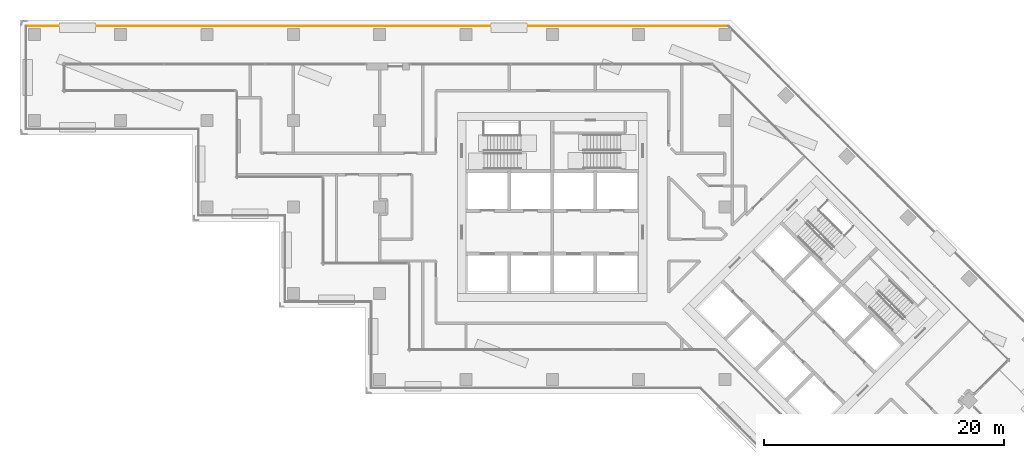
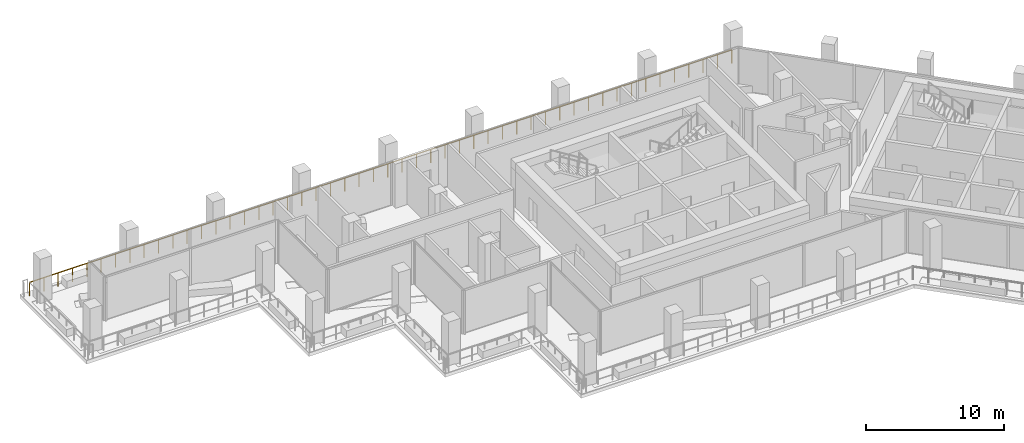
# One storey, part 16 of 21: 1 railing.
"""IFC4 building model written with IfcOpenShell, lengths in metres."""

from ifc_helpers import new_model, si_unit, direction, frame, origin, origin_2d, place, context, subcontext, project, spatial, circle, extrude, material, type_object, element, save


model = new_model("IFC4")

# Units and contexts
model_context = context("Model", 3, precision=1e-05, world=origin(), true_north=direction((0.0, 1.0)))
body_context = subcontext(model_context, "Body", "Model", "MODEL_VIEW")
ifc_project = project(units=[si_unit("LENGTHUNIT", "METRE"), si_unit("AREAUNIT", "SQUARE_METRE"), si_unit("VOLUMEUNIT", "CUBIC_METRE"), si_unit("PLANEANGLEUNIT", "RADIAN"), si_unit("MASSUNIT", "GRAM", prefix="KILO")], contexts=[model_context])

# Site, building, storey
site_placement = place(None, origin())
site = spatial("IfcSite", under=ifc_project, at=site_placement, CompositionType="ELEMENT")
building_placement = place(site_placement, origin())
building = spatial("IfcBuilding", under=site, at=building_placement, Name="Windrow Commons", CompositionType="ELEMENT")
storey_placement = place(building_placement, frame((0.0, 0.0, 131.2)))
storey = spatial("IfcBuildingStorey", under=building, at=storey_placement, Name="L35", CompositionType="ELEMENT", Elevation=131.2)

# Railing
ifc_material = material(Name="Stainless steel S316 balustrade with toughened glass infill", Category="steel")
railing_type = type_object("IfcRailingType", Name="Terrace guard 1200 podium", PredefinedType="BALUSTRADE", material=ifc_material)
railing_placement = place(storey_placement, frame((20.9, 72.7, 0.05)))
element("IfcRailing", 1, at=railing_placement, inside=storey, type_object=railing_type, Name="Guard TR-L35-1.E9", PredefinedType="BALUSTRADE", context=body_context, shape_type="SweptSolid", body=[
    extrude(circle(Radius=0.025, at=origin_2d()), frame((0.0, 0.0, 1.175), z_axis=(1.0, 0.0, 0.0), x_axis=(0.0, 1.0, 0.0)), (0.0, 0.0, 1.0), 58.59),
    extrude(circle(Radius=0.02, at=origin_2d()), origin(), (0.0, 0.0, 1.0), 1.15),
    extrude(circle(Radius=0.02, at=origin_2d()), frame((1.1957, 0.0, 0.0)), (0.0, 0.0, 1.0), 1.15),
    extrude(circle(Radius=0.02, at=origin_2d()), frame((2.3914, 0.0, 0.0)), (0.0, 0.0, 1.0), 1.15),
    extrude(circle(Radius=0.02, at=origin_2d()), frame((3.5871, 0.0, 0.0)), (0.0, 0.0, 1.0), 1.15),
    extrude(circle(Radius=0.02, at=origin_2d()), frame((4.7829, 0.0, 0.0)), (0.0, 0.0, 1.0), 1.15),
    extrude(circle(Radius=0.02, at=origin_2d()), frame((5.9786, 0.0, 0.0)), (0.0, 0.0, 1.0), 1.15),
    extrude(circle(Radius=0.02, at=origin_2d()), frame((7.1743, 0.0, 0.0)), (0.0, 0.0, 1.0), 1.15),
    extrude(circle(Radius=0.02, at=origin_2d()), frame((8.37, 0.0, 0.0)), (0.0, 0.0, 1.0), 1.15),
    extrude(circle(Radius=0.02, at=origin_2d()), frame((9.5657, 0.0, 0.0)), (0.0, 0.0, 1.0), 1.15),
    extrude(circle(Radius=0.02, at=origin_2d()), frame((10.7614, 0.0, 0.0)), (0.0, 0.0, 1.0), 1.15),
    extrude(circle(Radius=0.02, at=origin_2d()), frame((11.9571, 0.0, 0.0)), (0.0, 0.0, 1.0), 1.15),
    extrude(circle(Radius=0.02, at=origin_2d()), frame((13.1529, 0.0, 0.0)), (0.0, 0.0, 1.0), 1.15),
    extrude(circle(Radius=0.02, at=origin_2d()), frame((14.3486, 0.0, 0.0)), (0.0, 0.0, 1.0), 1.15),
    extrude(circle(Radius=0.02, at=origin_2d()), frame((15.5443, 0.0, 0.0)), (0.0, 0.0, 1.0), 1.15),
    extrude(circle(Radius=0.02, at=origin_2d()), frame((16.74, 0.0, 0.0)), (0.0, 0.0, 1.0), 1.15),
    extrude(circle(Radius=0.02, at=origin_2d()), frame((17.9357, 0.0, 0.0)), (0.0, 0.0, 1.0), 1.15),
    extrude(circle(Radius=0.02, at=origin_2d()), frame((19.1314, 0.0, 0.0)), (0.0, 0.0, 1.0), 1.15),
    extrude(circle(Radius=0.02, at=origin_2d()), frame((20.3271, 0.0, 0.0)), (0.0, 0.0, 1.0), 1.15),
    extrude(circle(Radius=0.02, at=origin_2d()), frame((21.5229, 0.0, 0.0)), (0.0, 0.0, 1.0), 1.15),
    extrude(circle(Radius=0.02, at=origin_2d()), frame((22.7186, 0.0, 0.0)), (0.0, 0.0, 1.0), 1.15),
    extrude(circle(Radius=0.02, at=origin_2d()), frame((23.9143, 0.0, 0.0)), (0.0, 0.0, 1.0), 1.15),
    extrude(circle(Radius=0.02, at=origin_2d()), frame((25.11, 0.0, 0.0)), (0.0, 0.0, 1.0), 1.15),
    extrude(circle(Radius=0.02, at=origin_2d()), frame((26.3057, 0.0, 0.0)), (0.0, 0.0, 1.0), 1.15),
    extrude(circle(Radius=0.02, at=origin_2d()), frame((27.5014, 0.0, 0.0)), (0.0, 0.0, 1.0), 1.15),
    extrude(circle(Radius=0.02, at=origin_2d()), frame((28.6971, 0.0, 0.0)), (0.0, 0.0, 1.0), 1.15),
    extrude(circle(Radius=0.02, at=origin_2d()), frame((29.8929, 0.0, 0.0)), (0.0, 0.0, 1.0), 1.15),
    extrude(circle(Radius=0.02, at=origin_2d()), frame((31.0886, 0.0, 0.0)), (0.0, 0.0, 1.0), 1.15),
    extrude(circle(Radius=0.02, at=origin_2d()), frame((32.2843, 0.0, 0.0)), (0.0, 0.0, 1.0), 1.15),
    extrude(circle(Radius=0.02, at=origin_2d()), frame((33.48, 0.0, 0.0)), (0.0, 0.0, 1.0), 1.15),
    extrude(circle(Radius=0.02, at=origin_2d()), frame((34.6757, 0.0, 0.0)), (0.0, 0.0, 1.0), 1.15),
    extrude(circle(Radius=0.02, at=origin_2d()), frame((35.8714, 0.0, 0.0)), (0.0, 0.0, 1.0), 1.15),
    extrude(circle(Radius=0.02, at=origin_2d()), frame((37.0671, 0.0, 0.0)), (0.0, 0.0, 1.0), 1.15),
    extrude(circle(Radius=0.02, at=origin_2d()), frame((38.2629, 0.0, 0.0)), (0.0, 0.0, 1.0), 1.15),
    extrude(circle(Radius=0.02, at=origin_2d()), frame((39.4586, 0.0, 0.0)), (0.0, 0.0, 1.0), 1.15),
    extrude(circle(Radius=0.02, at=origin_2d()), frame((40.6543, 0.0, 0.0)), (0.0, 0.0, 1.0), 1.15),
    extrude(circle(Radius=0.02, at=origin_2d()), frame((41.85, 0.0, 0.0)), (0.0, 0.0, 1.0), 1.15),
    extrude(circle(Radius=0.02, at=origin_2d()), frame((43.0457, 0.0, 0.0)), (0.0, 0.0, 1.0), 1.15),
    extrude(circle(Radius=0.02, at=origin_2d()), frame((44.2414, 0.0, 0.0)), (0.0, 0.0, 1.0), 1.15),
    extrude(circle(Radius=0.02, at=origin_2d()), frame((45.4371, 0.0, 0.0)), (0.0, 0.0, 1.0), 1.15),
    extrude(circle(Radius=0.02, at=origin_2d()), frame((46.6329, 0.0, 0.0)), (0.0, 0.0, 1.0), 1.15),
    extrude(circle(Radius=0.02, at=origin_2d()), frame((47.8286, 0.0, 0.0)), (0.0, 0.0, 1.0), 1.15),
    extrude(circle(Radius=0.02, at=origin_2d()), frame((49.0243, 0.0, 0.0)), (0.0, 0.0, 1.0), 1.15),
    extrude(circle(Radius=0.02, at=origin_2d()), frame((50.22, 0.0, 0.0)), (0.0, 0.0, 1.0), 1.15),
    extrude(circle(Radius=0.02, at=origin_2d()), frame((51.4157, 0.0, 0.0)), (0.0, 0.0, 1.0), 1.15),
    extrude(circle(Radius=0.02, at=origin_2d()), frame((52.6114, 0.0, 0.0)), (0.0, 0.0, 1.0), 1.15),
    extrude(circle(Radius=0.02, at=origin_2d()), frame((53.8071, 0.0, 0.0)), (0.0, 0.0, 1.0), 1.15),
    extrude(circle(Radius=0.02, at=origin_2d()), frame((55.0029, 0.0, 0.0)), (0.0, 0.0, 1.0), 1.15),
    extrude(circle(Radius=0.02, at=origin_2d()), frame((56.1986, 0.0, 0.0)), (0.0, 0.0, 1.0), 1.15),
    extrude(circle(Radius=0.02, at=origin_2d()), frame((57.3943, 0.0, 0.0)), (0.0, 0.0, 1.0), 1.15),
    extrude(circle(Radius=0.02, at=origin_2d()), frame((58.59, 0.0, 0.0)), (0.0, 0.0, 1.0), 1.15),
])

save(model, "model.ifc")
